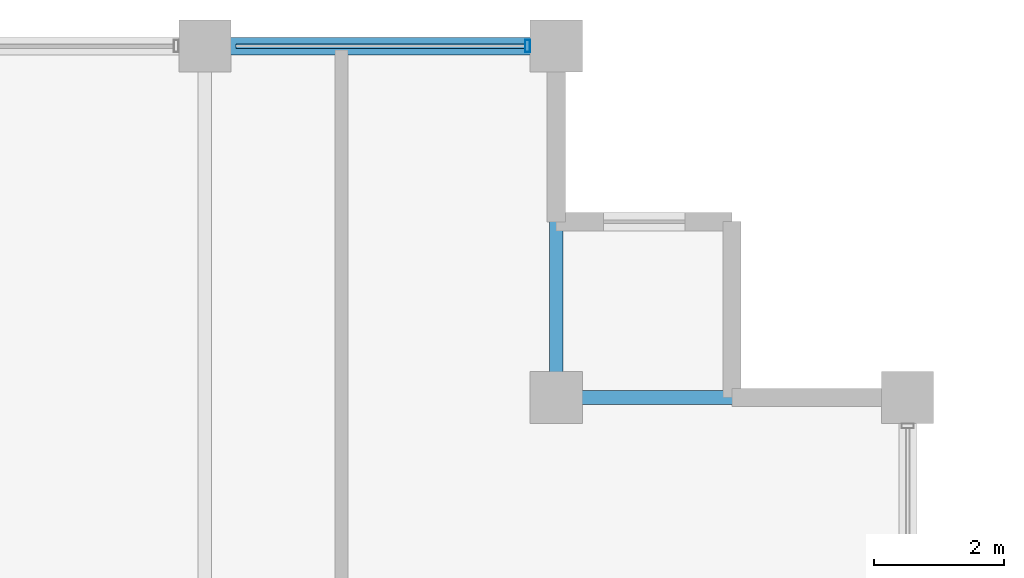
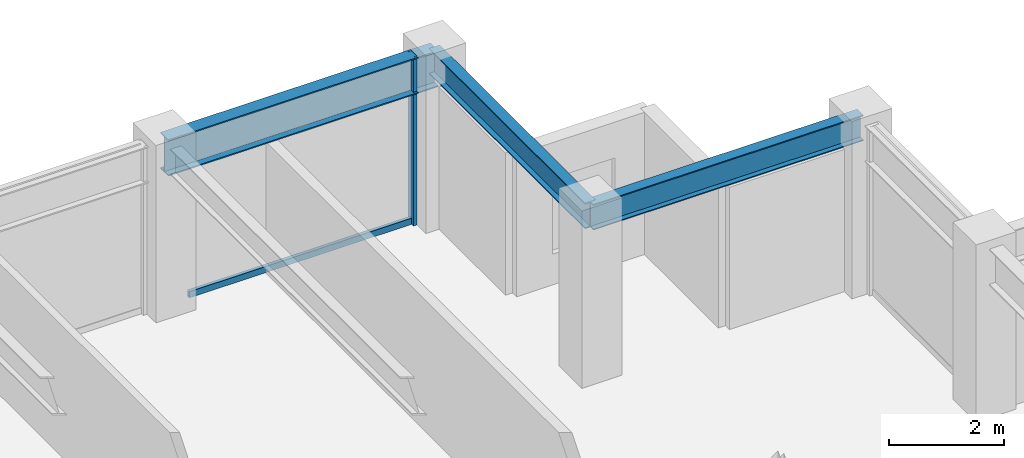
# One storey, part 21 of 30: 3 beams, 2 members, 1 element without a shape of its own.
"""IFC4 building model written with IfcOpenShell, lengths in metres."""

import ifcopenshell
import ifcopenshell.guid

model = None  # the IFC model being written
_history = None  # IfcOwnerHistory: only IFC2X3 demands one
_inside = {}  # id of a spatial element -> (the spatial element, [elements in it])
_under = {}  # id of a project, library or spatial element -> (it, [spatial elements below it])
_declared = {}  # id of a project -> (the project, [libraries it declares])
_typed = {}  # id of a type object -> (the type object, [elements of that type])
_made_of = {}  # id of a material, layer set ... -> (it, [elements and type objects made of it])


def new_model(schema):
    """Start an empty IFC model of exactly this schema.

    Asked for "IFC4X3", IfcOpenShell would pick the latest addendum, in which some entities
    have other attributes; the version numbers below select the first issue.
    IFC2X3 requires an IfcOwnerHistory on every rooted entity: one is made here for all.
    """
    global model, _history
    if schema == "IFC4X3":
        model = ifcopenshell.file(schema_version=(4, 3, 0, 0))
    else:
        model = ifcopenshell.file(schema=schema)
    _inside.clear()
    _under.clear()
    _declared.clear()
    _typed.clear()
    _made_of.clear()
    _history = None
    if model.schema == "IFC2X3":
        org = make("IfcOrganization", Name="unknown")
        user = make(
            "IfcPersonAndOrganization",
            ThePerson=make("IfcPerson", FamilyName="unknown"),
            TheOrganization=org,
        )
        app = make(
            "IfcApplication",
            ApplicationDeveloper=org,
            Version="unknown",
            ApplicationFullName="unknown",
            ApplicationIdentifier="unknown",
        )
        _history = make(
            "IfcOwnerHistory",
            OwningUser=user,
            OwningApplication=app,
            ChangeAction="ADDED",
            CreationDate=0,
        )
    return model


def make(cls, **values):
    """One entity of the class cls with the attributes given. An attribute that is None is left unset."""
    return model.create_entity(
        cls, **{name: value for name, value in values.items() if value is not None}
    )


def rooted(cls, **values):
    """An entity with a GlobalId (a new one), such as an element, a storey or a relation."""
    return make(cls, GlobalId=ifcopenshell.guid.new(), OwnerHistory=_history, **values)


def si_unit(unit_type, name, prefix=None):
    """IfcSIUnit, for example si_unit("LENGTHUNIT", "METRE", prefix="MILLI")."""
    return make("IfcSIUnit", UnitType=unit_type, Prefix=prefix, Name=name)


def assignment(units):
    """IfcUnitAssignment: the units of a project."""
    return None if units is None else make("IfcUnitAssignment", Units=units)


def point(xyz):
    """IfcCartesianPoint."""
    return None if xyz is None else make("IfcCartesianPoint", Coordinates=xyz)


def direction(xyz):
    """IfcDirection."""
    return None if xyz is None else make("IfcDirection", DirectionRatios=xyz)


def frame(location, z_axis=None, x_axis=None):
    """IfcAxis2Placement3D, a coordinate frame: its origin and axes. An axis left out is left unset."""
    return make(
        "IfcAxis2Placement3D",
        Location=point(location),
        Axis=direction(z_axis),
        RefDirection=direction(x_axis),
    )


def frame_2d(location, x_axis=None):
    """IfcAxis2Placement2D, a coordinate frame in the plane: its origin and x axis."""
    return make(
        "IfcAxis2Placement2D", Location=point(location), RefDirection=direction(x_axis)
    )


def origin():
    """The frame at (0, 0, 0) with its axes left unset."""
    return frame((0.0, 0.0, 0.0))


def origin_2d():
    """The frame at (0, 0) in the plane with its x axis left unset."""
    return frame_2d((0.0, 0.0))


def place(relative_to, where):
    """IfcLocalPlacement: puts the frame where relative to a parent placement (None: the world)."""
    return make(
        "IfcLocalPlacement", PlacementRelTo=relative_to, RelativePlacement=where
    )


def context(
    kind, dimensions, precision=None, world=None, true_north=None, identifier=None
):
    """IfcGeometricRepresentationContext, for example the 3D "Model" context."""
    return make(
        "IfcGeometricRepresentationContext",
        ContextIdentifier=identifier,
        ContextType=kind,
        CoordinateSpaceDimension=dimensions,
        Precision=precision,
        WorldCoordinateSystem=world,
        TrueNorth=true_north,
    )


def subcontext(parent, identifier, kind, view, scale=None):
    """IfcGeometricRepresentationSubContext, for example "Body" below "Model"."""
    return make(
        "IfcGeometricRepresentationSubContext",
        ContextIdentifier=identifier,
        ContextType=kind,
        ParentContext=parent,
        TargetScale=scale,
        TargetView=view,
    )


def project(units=None, contexts=None):
    """IfcProject with its units and contexts."""
    return rooted(
        "IfcProject",
        Name="project",
        RepresentationContexts=contexts,
        UnitsInContext=assignment(units),
    )


def spatial(cls, under=None, at=None, **own):
    """A site, building, storey or space (cls), placed at a placement, below another one or the project."""
    s = rooted(cls, ObjectPlacement=at, **own)
    if under is not None:
        _under.setdefault(under.id(), (under, []))[1].append(s)
    return s


def profile(cls, at=None, kind="AREA", **sizes):
    """A parametric profile (cls). Its sizes go by their IFC names, for example OverallWidth=200.0."""
    return make(cls, ProfileType=kind, Position=at, **sizes)


def hollow_rectangle(**sizes):
    """IfcRectangleHollowProfileDef."""
    return profile("IfcRectangleHollowProfileDef", **sizes)


def i_section(**sizes):
    """IfcIShapeProfileDef."""
    return profile("IfcIShapeProfileDef", **sizes)


def extrude(swept, where, along, depth):
    """IfcExtrudedAreaSolid: the profile swept, set in the frame where, extruded along a direction by depth."""
    return make(
        "IfcExtrudedAreaSolid",
        SweptArea=swept,
        Position=where,
        ExtrudedDirection=direction(along),
        Depth=depth,
    )


def shape(context_of_items, identifier, shape_type, items):
    """IfcShapeRepresentation: the items that make up one representation, for example the "Body"."""
    return make(
        "IfcShapeRepresentation",
        ContextOfItems=context_of_items,
        RepresentationIdentifier=identifier,
        RepresentationType=shape_type,
        Items=items,
    )


def material(Name=None, Category=None):
    """IfcMaterial."""
    return make("IfcMaterial", Name=Name, Category=Category)


def layer(
    of_material, thickness, ventilated=None, Name=None, Category=None, Priority=None
):
    """IfcMaterialLayer: one layer of a wall or slab, of a material (None: an air gap)."""
    return make(
        "IfcMaterialLayer",
        Material=of_material,
        LayerThickness=thickness,
        IsVentilated=ventilated,
        Name=Name,
        Category=Category,
        Priority=Priority,
    )


def layer_set(layers, Name=None):
    """IfcMaterialLayerSet."""
    return make("IfcMaterialLayerSet", MaterialLayers=layers, LayerSetName=Name)


def material_profile(
    of_material, cross_section, Name=None, Category=None, Priority=None
):
    """IfcMaterialProfile: a cross section and its material."""
    return make(
        "IfcMaterialProfile",
        Name=Name,
        Material=of_material,
        Profile=cross_section,
        Priority=Priority,
        Category=Category,
    )


def profile_set(profiles, Name=None, composite=None):
    """IfcMaterialProfileSet."""
    return make(
        "IfcMaterialProfileSet",
        Name=Name,
        MaterialProfiles=profiles,
        CompositeProfile=composite,
    )


def made_of(thing, what):
    """Note that an element or type object is made of a material, layer set ...; save() writes the relation."""
    if what is not None:
        _made_of.setdefault(what.id(), (what, []))[1].append(thing)
    return thing


def type_object(cls, material=None, **own):
    """A type object (cls), such as IfcWallType, which elements share."""
    return made_of(rooted(cls, **own), material)


def element(
    cls,
    number,
    at=None,
    inside=None,
    cuts=None,
    type_object=None,
    material=None,
    context=None,
    identifier="Body",
    shape_type=None,
    held_by="IfcProductDefinitionShape",
    body=None,
    shapes=None,
    **own,
):
    """One element of the class cls, such as IfcWall. Its Tag is "e" and its number.

    at: its placement. inside: the storey or other place that contains it. cuts: it is an
    opening in that element (IfcRelVoidsElement). A single representation is given by context,
    identifier, shape_type and body (its items); several are given by shapes. held_by: the class
    of the entity that holds the representations. save() writes the other relations.
    """
    e = rooted(cls, Tag="e%d" % number, ObjectPlacement=at, **own)
    if body is not None:
        shapes = [shape(context, identifier, shape_type, body)]
    if shapes is not None:
        e.Representation = make(held_by, Representations=shapes)
    if inside is not None:
        _inside.setdefault(inside.id(), (inside, []))[1].append(e)
    if cuts is not None:
        rooted(
            "IfcRelVoidsElement", RelatingBuildingElement=cuts, RelatedOpeningElement=e
        )
    if type_object is not None:
        _typed.setdefault(type_object.id(), (type_object, []))[1].append(e)
    return made_of(e, material)


def aggregate(whole, parts):
    """IfcRelAggregates: a whole, such as a stair, and the parts it consists of."""
    return rooted("IfcRelAggregates", RelatingObject=whole, RelatedObjects=parts)


def save(model, path):
    """Write the relations noted so far, then the file.

    IfcRelAggregates (storeys below a building ...), IfcRelContainedInSpatialStructure (elements
    in a storey), IfcRelDefinesByType, IfcRelAssociatesMaterial and IfcRelDeclares: one each for
    every whole, place, type object, material and project.
    """
    for whole, parts in _under.values():
        aggregate(whole, parts)
    for where, things in _inside.values():
        rooted(
            "IfcRelContainedInSpatialStructure",
            RelatedElements=things,
            RelatingStructure=where,
        )
    for kind, things in _typed.values():
        rooted("IfcRelDefinesByType", RelatedObjects=things, RelatingType=kind)
    for what, things in _made_of.values():
        rooted("IfcRelAssociatesMaterial", RelatedObjects=things, RelatingMaterial=what)
    for by, libraries in _declared.values():
        rooted("IfcRelDeclares", RelatingContext=by, RelatedDefinitions=libraries)
    model.write(path)


model = new_model("IFC4")

# Units and contexts
model_context = context("Model", 3, precision=1e-05, world=origin(), true_north=direction((0.0, 1.0)))
body_context = subcontext(model_context, "Body", "Model", "MODEL_VIEW")
ifc_project = project(units=[si_unit("LENGTHUNIT", "METRE"), si_unit("AREAUNIT", "SQUARE_METRE"), si_unit("VOLUMEUNIT", "CUBIC_METRE"), si_unit("PLANEANGLEUNIT", "RADIAN"), si_unit("MASSUNIT", "GRAM", prefix="KILO")], contexts=[model_context])

# Site, building, storey
site_placement = place(None, origin())
site = spatial("IfcSite", under=ifc_project, at=site_placement, CompositionType="ELEMENT")
building_placement = place(site_placement, origin())
building = spatial("IfcBuilding", under=site, at=building_placement, Name="Surkhivell Harbour Commons", CompositionType="ELEMENT")
storey_placement = place(building_placement, frame((0.0, 0.0, 231.0)))
storey = spatial("IfcBuildingStorey", under=building, at=storey_placement, Name="L60", CompositionType="ELEMENT", Elevation=231.0)

# Beams
ifc_material_1 = material(Name="Steel S355", Category="steel")
ifc_material_profile_1 = material_profile(ifc_material_1, i_section(OverallWidth=0.2119140625, OverallDepth=0.5439453125, WebThickness=0.0126953125, FlangeThickness=0.021240234375, at=origin_2d()), Name="UB533x210x122")
ifc_profile_set_1 = profile_set([ifc_material_profile_1], Name="Steel S355")
beam_type_1 = type_object("IfcBeamType", Name="BM-GRD-533A", PredefinedType="BEAM", material=ifc_profile_set_1)
beam_1_placement = place(storey_placement, frame((16.199951171875, 20.5, 3.298095703125), z_axis=(0.0, 1.0, 0.0), x_axis=(-1.0, 0.0, 0.0)))
element("IfcBeam", 1, at=beam_1_placement, inside=storey, type_object=beam_type_1, Name="L60 Floor Girder (16.2,20.5)", PredefinedType="BEAM", context=body_context, shape_type="SweptSolid", body=[
    extrude(i_section(OverallWidth=0.2119140625, OverallDepth=0.5439453125, WebThickness=0.0126953125, FlangeThickness=0.021240234375, at=origin_2d()), origin(), (0.0, 0.0, 1.0), 5.39990234375),
])
beam_2_placement = place(storey_placement, frame((16.199951171875, 20.5, 3.298095703125), z_axis=(1.0, 0.0, 0.0), x_axis=(0.0, 1.0, 0.0)))
element("IfcBeam", 2, at=beam_2_placement, inside=storey, type_object=beam_type_1, Name="L60 Floor Girder (16.2,20.5)", PredefinedType="BEAM", context=body_context, shape_type="SweptSolid", body=[
    extrude(i_section(OverallWidth=0.2119140625, OverallDepth=0.5439453125, WebThickness=0.0126953125, FlangeThickness=0.021240234375, at=origin_2d()), origin(), (0.0, 0.0, 1.0), 5.400146484375),
])
ifc_material_profile_2 = material_profile(ifc_material_1, i_section(OverallWidth=0.26806640625, OverallDepth=0.77001953125, WebThickness=0.015625, FlangeThickness=0.025390625, at=origin_2d()), Name="UB762x267x197")
ifc_profile_set_2 = profile_set([ifc_material_profile_2], Name="Steel S355")
beam_type_2 = type_object("IfcBeamType", Name="BM-SPN-762", PredefinedType="SPANDREL", material=ifc_profile_set_2)
beam_3_placement = place(storey_placement, frame((10.800048828125, 25.89990234375, 3.18505859375), z_axis=(1.0, 0.0, 0.0), x_axis=(0.0, 1.0, 0.0)))
element("IfcBeam", 3, at=beam_3_placement, inside=storey, type_object=beam_type_2, Name="L60 Tube Spandrel (10.8,25.9)", PredefinedType="SPANDREL", context=body_context, shape_type="SweptSolid", body=[
    extrude(i_section(OverallWidth=0.26806640625, OverallDepth=0.77001953125, WebThickness=0.015625, FlangeThickness=0.025390625, at=origin_2d()), origin(), (0.0, 0.0, 1.0), 5.39990234375),
])

# Curtain wall, members
ifc_material_2 = material(Name="Anodised pale-metal aluminium and insulated glazing", Category="aluminium")
ifc_layer = layer(ifc_material_2, 0.18994140625)
ifc_layer_set = layer_set([ifc_layer], Name="Anodised pale-metal aluminium and insulated glazing")
curtain_wall_type = type_object("IfcCurtainWallType", Name="CW-SYS-Z3", PredefinedType="NOTDEFINED", material=ifc_layer_set)
curtain_wall_placement = place(storey_placement, origin())
curtain_wall = element("IfcCurtainWall", 4, at=curtain_wall_placement, inside=storey, type_object=curtain_wall_type, Name="L60 Curtain Wall CW-L60-E07S1", PredefinedType="NOTDEFINED")
ifc_material_3 = material(Name="Anodised pale-metal aluminium alloy 6063-T6", Category="aluminium")
ifc_material_profile_3 = material_profile(ifc_material_3, hollow_rectangle(XDim=0.074951171875, YDim=0.18994140625, WallThickness=0.00390625, at=origin_2d()), Name="ALU-MULL-75x190")
ifc_profile_set_3 = profile_set([ifc_material_profile_3], Name="Anodised pale-metal aluminium alloy 6063-T6")
member_type_1 = type_object("IfcMemberType", Name="CWM-190", PredefinedType="MULLION", material=ifc_profile_set_3)
member_1_placement = place(storey_placement, frame((15.760498046875, 25.89990234375, 0.0), z_axis=(0.0, 0.0, 1.0), x_axis=(-1.0, 0.0, 0.0)))
member_1 = element("IfcMember", 5, at=member_1_placement, type_object=member_type_1, Name="CW-Z3 mullion 1", PredefinedType="MULLION", context=body_context, shape_type="SweptSolid", body=[
    extrude(hollow_rectangle(XDim=0.074951171875, YDim=0.18994140625, WallThickness=0.00390625, at=origin_2d()), origin(), (0.0, 0.0, 1.0), 3.570068359375),
])
ifc_material_4 = material(Name="Champagne anodised aluminium alloy 6063-T6", Category="aluminium")
ifc_material_profile_4 = material_profile(ifc_material_4, hollow_rectangle(XDim=0.070068359375, YDim=0.1298828125, WallThickness=0.00341796875, at=origin_2d()), Name="ALU-TRAN-70x130")
ifc_profile_set_4 = profile_set([ifc_material_profile_4], Name="Champagne anodised aluminium alloy 6063-T6")
member_type_2 = type_object("IfcMemberType", Name="CWT-130", PredefinedType="USERDEFINED", material=ifc_profile_set_4)
member_2_placement = place(storey_placement, frame((15.722900390625, 25.89990234375, 0.06494140625), z_axis=(-1.0, 0.0, 0.0), x_axis=(0.0, -1.0, 0.0)))
member_2 = element("IfcMember", 6, at=member_2_placement, type_object=member_type_2, Name="CW-Z3 transom 1.1", ObjectType="TRANSOM", PredefinedType="USERDEFINED", context=body_context, shape_type="SweptSolid", body=[
    extrude(hollow_rectangle(XDim=0.070068359375, YDim=0.1298828125, WallThickness=0.00341796875, at=origin_2d()), origin(), (0.0, 0.0, 1.0), 4.44580078125),
])
aggregate(curtain_wall, [member_1, member_2])

save(model, "model.ifc")
